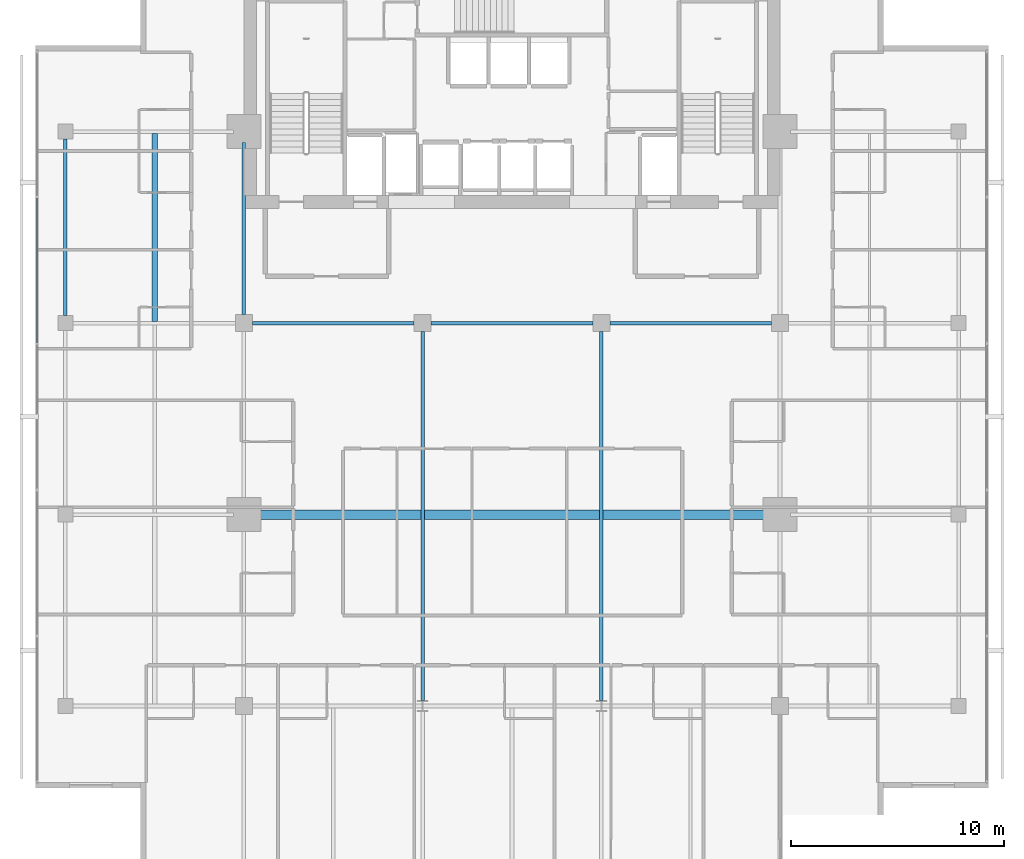
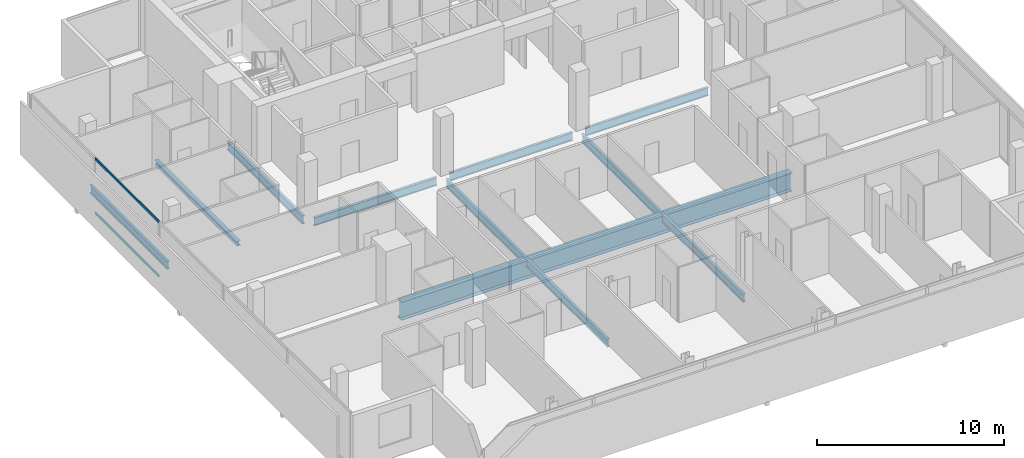
# One storey, part 9 of 26: 9 beams, 2 members, 1 element without a shape of its own.
"""IFC4 building model written with IfcOpenShell, lengths in metres."""

from ifc_helpers import new_model, si_unit, direction, frame, origin, origin_2d, place, context, subcontext, project, spatial, hollow_rectangle, i_section, extrude, material, layer, layer_set, material_profile, profile_set, type_object, element, aggregate, save


model = new_model("IFC4")

# Units and contexts
model_context = context("Model", 3, precision=1e-05, world=origin(), true_north=direction((0.0, 1.0)))
body_context = subcontext(model_context, "Body", "Model", "MODEL_VIEW")
ifc_project = project(units=[si_unit("LENGTHUNIT", "METRE"), si_unit("AREAUNIT", "SQUARE_METRE"), si_unit("VOLUMEUNIT", "CUBIC_METRE"), si_unit("PLANEANGLEUNIT", "RADIAN"), si_unit("MASSUNIT", "GRAM", prefix="KILO")], contexts=[model_context])

# Site, building, storey
site_placement = place(None, origin())
site = spatial("IfcSite", under=ifc_project, at=site_placement, CompositionType="ELEMENT")
building_placement = place(site_placement, origin())
building = spatial("IfcBuilding", under=site, at=building_placement, Name="Maruvema Waterfront Hotel and Observation Tower", CompositionType="ELEMENT")
storey_placement = place(building_placement, frame((0.0, 0.0, 285.60009765625)))
storey = spatial("IfcBuildingStorey", under=building, at=storey_placement, Name="L70", CompositionType="ELEMENT", Elevation=285.60009765625)

# Curtain wall, members
ifc_material_1 = material(Name="Anodised bronze aluminium and solar-control low-E IGU", Category="aluminium")
ifc_layer = layer(ifc_material_1, 0.159912109375, Name="Zone 3 Champagne Inner Thermal Curtain Wall System CW-04")
ifc_layer_set = layer_set([ifc_layer], Name="Anodised bronze aluminium and solar-control low-E IGU")
curtain_wall_type = type_object("IfcCurtainWallType", Name="Zone 3 Champagne Inner Thermal Curtain Wall System CW-04", PredefinedType="USERDEFINED", material=ifc_layer_set)
curtain_wall_placement = place(storey_placement, origin())
curtain_wall = element("IfcCurtainWall", 1, at=curtain_wall_placement, inside=storey, type_object=curtain_wall_type, Name="L70 Curtain Wall CW-L70-W", ObjectType="UNITISED CURTAIN WALL", PredefinedType="USERDEFINED")
ifc_material_2 = material(Name="Anodised architectural bronze aluminium", Category="aluminium")
ifc_material_profile_1 = material_profile(ifc_material_2, hollow_rectangle(XDim=0.070068359375, YDim=0.14990234375, WallThickness=0.00390625, at=origin_2d()), Name="ALU-T70x150")
ifc_profile_set_1 = profile_set([ifc_material_profile_1], Name="Anodised architectural bronze aluminium")
member_type = type_object("IfcMemberType", Name="Curtain Wall Horizontal Transom ALU-T70x150", PredefinedType="USERDEFINED", material=ifc_profile_set_1)
member_1_placement = place(storey_placement, frame((15.47998046875, 41.889892578125, 0.02978515625), z_axis=(0.0, -1.0, 0.0), x_axis=(1.0, 0.0, 0.0)))
member_1 = element("IfcMember", 2, at=member_1_placement, type_object=member_type, Name="CW-04 transom 2.1", ObjectType="TRANSOM", PredefinedType="USERDEFINED", context=body_context, shape_type="SweptSolid", body=[
    extrude(hollow_rectangle(XDim=0.070068359375, YDim=0.14990234375, WallThickness=0.00390625, at=origin_2d()), origin(), (0.0, 0.0, 1.0), 6.81982421875),
])
member_2_placement = place(storey_placement, frame((15.47998046875, 41.889892578125, 3.579833984375), z_axis=(0.0, -1.0, 0.0), x_axis=(1.0, 0.0, 0.0)))
member_2 = element("IfcMember", 3, at=member_2_placement, type_object=member_type, Name="CW-04 transom 2.2", ObjectType="TRANSOM", PredefinedType="USERDEFINED", context=body_context, shape_type="SweptSolid", body=[
    extrude(hollow_rectangle(XDim=0.070068359375, YDim=0.14990234375, WallThickness=0.00390625, at=origin_2d()), origin(), (0.0, 0.0, 1.0), 6.81982421875),
])
aggregate(curtain_wall, [member_1, member_2])

# Beams
ifc_material_3 = material(Name="Steel ASTM A572 Grade 50", Category="steel")
ifc_material_profile_2 = material_profile(ifc_material_3, i_section(OverallWidth=0.166015625, OverallDepth=0.529052734375, WebThickness=0.009765625, FlangeThickness=0.013671875, FilletRadius=0.014892578125, at=origin_2d()), Name="W530x74.0")
ifc_profile_set_2 = profile_set([ifc_material_profile_2], Name="Steel ASTM A572 Grade 50")
beam_type_1 = type_object("IfcBeamType", Name="Primary Floor Girder W530x74.0", PredefinedType="BEAM", material=ifc_profile_set_2)
beam_1_placement = place(storey_placement, frame((25.60009765625, 36.0, -0.504638671875), z_axis=(1.0, 0.0, 0.0), x_axis=(0.0, 1.0, 0.0)))
element("IfcBeam", 4, at=beam_1_placement, inside=storey, type_object=beam_type_1, Name="L70 Floor Girder EW-13", PredefinedType="BEAM", context=body_context, shape_type="SweptSolid", body=[
    extrude(i_section(OverallWidth=0.166015625, OverallDepth=0.529052734375, WebThickness=0.009765625, FlangeThickness=0.013671875, FilletRadius=0.014892578125, at=origin_2d()), origin(), (0.0, 0.0, 1.0), 7.599853515625),
])
for number, where, z_axis, x_axis, name in (
    (5, (34.0, 36.0, -0.504638671875), (1.0, 0.0, 0.0), (0.0, 1.0, 0.0), "L70 Floor Girder EW-14"),
    (6, (42.39990234375, 36.0, -0.504638671875), (1.0, 0.0, 0.0), (0.0, 1.0, 0.0), "L70 Floor Girder EW-15"),
):
    element("IfcBeam", number, at=place(storey_placement, frame(where, z_axis=z_axis, x_axis=x_axis)), inside=storey, type_object=beam_type_1, Name=name, PredefinedType="BEAM", context=body_context, shape_type="SweptSolid", body=[
        extrude(i_section(OverallWidth=0.166015625, OverallDepth=0.529052734375, WebThickness=0.009765625, FlangeThickness=0.013671875, FilletRadius=0.014892578125, at=origin_2d()), origin(), (0.0, 0.0, 1.0), 7.60009765625),
    ])
beam_2_placement = place(storey_placement, frame((16.800048828125, 36.35009765625, -0.504638671875), z_axis=(0.0, 1.0, 0.0), x_axis=(-1.0, 0.0, 0.0)))
element("IfcBeam", 7, at=beam_2_placement, inside=storey, type_object=beam_type_1, Name="L70 Floor Girder NS-03", PredefinedType="BEAM", context=body_context, shape_type="SweptSolid", body=[
    extrude(i_section(OverallWidth=0.166015625, OverallDepth=0.529052734375, WebThickness=0.009765625, FlangeThickness=0.013671875, FilletRadius=0.014892578125, at=origin_2d()), origin(), (0.0, 0.0, 1.0), 8.2998046875),
])
beam_3_placement = place(storey_placement, frame((25.199951171875, 36.39990234375, -0.504638671875), z_axis=(0.0, 1.0, 0.0), x_axis=(-1.0, 0.0, 0.0)))
element("IfcBeam", 8, at=beam_3_placement, inside=storey, type_object=beam_type_1, Name="L70 Floor Girder NS-07", PredefinedType="BEAM", context=body_context, shape_type="SweptSolid", body=[
    extrude(i_section(OverallWidth=0.166015625, OverallDepth=0.529052734375, WebThickness=0.009765625, FlangeThickness=0.013671875, FilletRadius=0.014892578125, at=origin_2d()), origin(), (0.0, 0.0, 1.0), 8.10009765625),
])
for number, where, z_axis, x_axis, name in (
    (9, (33.60009765625, 18.25, -0.504638671875), (0.0, 1.0, 0.0), (-1.0, 0.0, 0.0), "L70 Floor Girder NS-09"),
    (10, (42.0, 18.25, -0.504638671875), (0.0, 1.0, 0.0), (-1.0, 0.0, 0.0), "L70 Floor Girder NS-11"),
):
    element("IfcBeam", number, at=place(storey_placement, frame(where, z_axis=z_axis, x_axis=x_axis)), inside=storey, type_object=beam_type_1, Name=name, PredefinedType="BEAM", context=body_context, shape_type="SweptSolid", body=[
        extrude(i_section(OverallWidth=0.166015625, OverallDepth=0.529052734375, WebThickness=0.009765625, FlangeThickness=0.013671875, FilletRadius=0.014892578125, at=origin_2d()), origin(), (0.0, 0.0, 1.0), 17.35009765625),
    ])
ifc_material_4 = material(Name="Steel ASTM A572 Grade 50", Category="steel")
ifc_material_profile_3 = material_profile(ifc_material_4, i_section(OverallWidth=0.25390625, OverallDepth=0.305908203125, WebThickness=0.0087890625, FlangeThickness=0.0146484375, FilletRadius=0.014892578125, at=origin_2d()), Name="W310x79.0")
ifc_profile_set_3 = profile_set([ifc_material_profile_3], Name="Steel ASTM A572 Grade 50")
beam_type_2 = type_object("IfcBeamType", Name="Secondary Floor Joist W310x79.0", PredefinedType="JOIST", material=ifc_profile_set_3)
beam_4_placement = place(storey_placement, frame((21.0, 36.0830078125, -0.39306640625), z_axis=(0.0, 1.0, 0.0), x_axis=(-1.0, 0.0, 0.0)))
element("IfcBeam", 11, at=beam_4_placement, inside=storey, type_object=beam_type_2, Name="L70 Secondary Floor Joist JS-03", PredefinedType="JOIST", context=body_context, shape_type="SweptSolid", body=[
    extrude(i_section(OverallWidth=0.25390625, OverallDepth=0.305908203125, WebThickness=0.0087890625, FlangeThickness=0.0146484375, FilletRadius=0.014892578125, at=origin_2d()), origin(), (0.0, 0.0, 1.0), 8.833984375),
])
ifc_material_5 = material(Name="Steel ABNT NBR 7007 AR 415 (ASTM A572 Grade 50)", Category="steel")
ifc_material_profile_4 = material_profile(ifc_material_5, i_section(OverallWidth=0.449951171875, OverallDepth=1.199951171875, WebThickness=0.01904296875, FlangeThickness=0.031982421875, at=origin_2d()), Name="VS1200x366")
ifc_profile_set_4 = profile_set([ifc_material_profile_4], Name="Steel ABNT NBR 7007 AR 415 (ASTM A572 Grade 50)")
beam_type_3 = type_object("IfcBeamType", Name="Upper Setback Transfer Girder VS1200x366", PredefinedType="USERDEFINED", material=ifc_profile_set_4)
beam_5_placement = place(storey_placement, frame((25.699951171875, 27.0, -0.840087890625), z_axis=(1.0, 0.0, 0.0), x_axis=(0.0, 1.0, 0.0)))
element("IfcBeam", 12, at=beam_5_placement, inside=storey, type_object=beam_type_3, Name="L70 Floor Girder EW-10", ObjectType="TRANSFER GIRDER", PredefinedType="USERDEFINED", context=body_context, shape_type="SweptSolid", body=[
    extrude(i_section(OverallWidth=0.449951171875, OverallDepth=1.199951171875, WebThickness=0.01904296875, FlangeThickness=0.031982421875, at=origin_2d()), origin(), (0.0, 0.0, 1.0), 24.199951171875),
])

save(model, "model.ifc")
